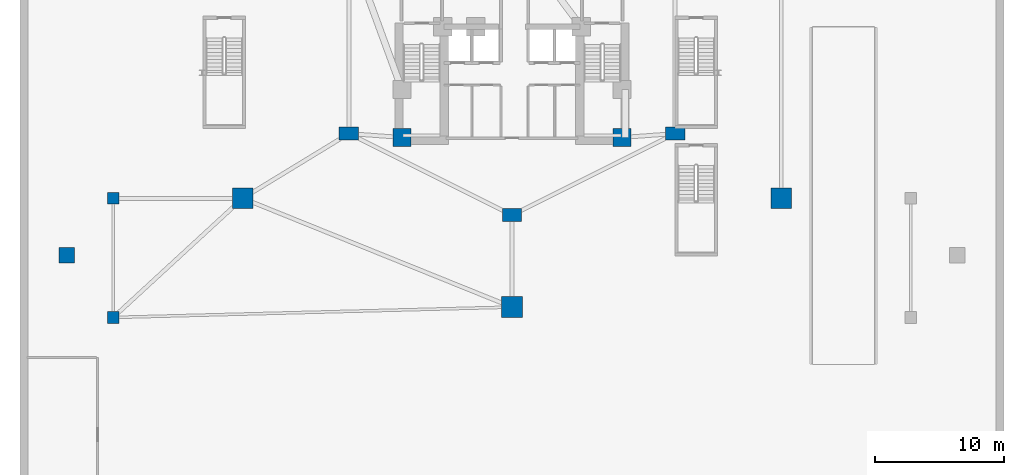
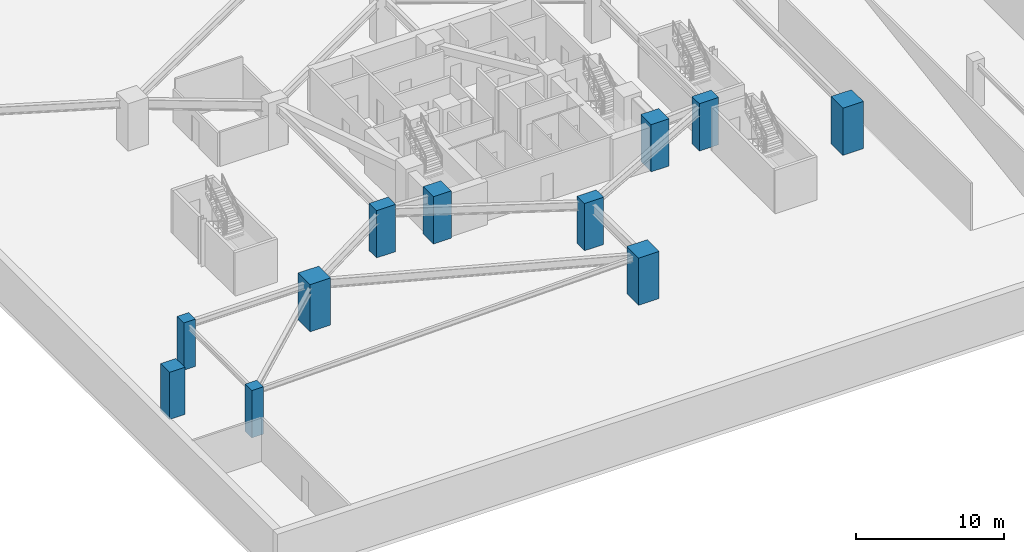
# One storey, part 1 of 12: 11 columns.
"""IFC4 building model written with IfcOpenShell, lengths in metres."""

from ifc_helpers import new_model, si_unit, direction, frame, origin, origin_2d, place, context, subcontext, project, spatial, rectangle, extrude, material, material_profile, profile_set, type_object, element, save


model = new_model("IFC4")

# Units and contexts
model_context = context("Model", 3, precision=1e-05, world=origin(), true_north=direction((0.0, 1.0)))
body_context = subcontext(model_context, "Body", "Model", "MODEL_VIEW")
ifc_project = project(units=[si_unit("LENGTHUNIT", "METRE"), si_unit("AREAUNIT", "SQUARE_METRE"), si_unit("VOLUMEUNIT", "CUBIC_METRE"), si_unit("PLANEANGLEUNIT", "RADIAN"), si_unit("MASSUNIT", "GRAM", prefix="KILO")], contexts=[model_context])

# Site, building, storey
site_placement = place(None, origin())
site = spatial("IfcSite", under=ifc_project, at=site_placement, CompositionType="ELEMENT")
building_placement = place(site_placement, origin())
building = spatial("IfcBuilding", under=site, at=building_placement, Name="Miruveldt Soraemaru", CompositionType="ELEMENT")
storey_placement = place(building_placement, frame((0.0, 0.0, -7.800048828125)))
storey = spatial("IfcBuildingStorey", under=building, at=storey_placement, Name="B2", CompositionType="ELEMENT", Elevation=-7.800048828125)

# Columns
ifc_material_1 = material(Name="Concrete C70/85 (70 MPa)", Category="concrete")
ifc_material_profile_1 = material_profile(ifc_material_1, rectangle(XDim=1.199951171875, YDim=1.199951171875, at=origin_2d()), Name="Concrete C70/85 (70 MPa)", Category="concrete")
ifc_profile_set_1 = profile_set([ifc_material_profile_1], Name="Concrete C70/85 (70 MPa)")
column_type_1 = type_object("IfcColumnType", Name="COL-CORE-1200", PredefinedType="COLUMN", material=ifc_profile_set_1)
column_placement = place(storey_placement, frame((9.60009765625, 26.39990234375, 0.0), z_axis=(0.0, 0.0, 1.0), x_axis=(1.0, 0.0, 0.0)))
element("IfcColumn", 1, at=column_placement, inside=storey, type_object=column_type_1, Name="B2 Structural Column BC1", PredefinedType="COLUMN", context=body_context, shape_type="SweptSolid", body=[
    extrude(rectangle(XDim=1.199951171875, YDim=1.199951171875, at=origin_2d()), origin(), (0.0, 0.0, 1.0), 3.900146484375),
])
ifc_material_2 = material(Name="Concrete C50/60 (50 MPa)", Category="concrete")
ifc_material_profile_2 = material_profile(ifc_material_2, rectangle(XDim=0.89990234375, YDim=0.89990234375, at=origin_2d()), Name="Concrete C50/60 (50 MPa)", Category="concrete")
ifc_profile_set_2 = profile_set([ifc_material_profile_2], Name="Concrete C50/60 (50 MPa)")
column_type_2 = type_object("IfcColumnType", Name="COL-CORE-900", PredefinedType="COLUMN", material=ifc_profile_set_2)
for number, where, z_axis, x_axis, name in (
    (2, (13.199951171875, 21.60009765625, 0.0), (0.0, 0.0, 1.0), (1.0, 0.0, 0.0), "B2 Structural Column PF01"),
    (3, (13.199951171875, 30.800048828125, 0.0), (0.0, 0.0, 1.0), (1.0, 0.0, 0.0), "B2 Structural Column PF02"),
):
    element("IfcColumn", number, at=place(storey_placement, frame(where, z_axis=z_axis, x_axis=x_axis)), inside=storey, type_object=column_type_2, Name=name, PredefinedType="COLUMN", context=body_context, shape_type="SweptSolid", body=[
        extrude(rectangle(XDim=0.89990234375, YDim=0.89990234375, at=origin_2d()), origin(), (0.0, 0.0, 1.0), 3.900146484375),
    ])
ifc_material_3 = material(Name="Concrete C80/95 (80 MPa)", Category="concrete")
ifc_material_profile_3 = material_profile(ifc_material_3, rectangle(XDim=1.39990234375, YDim=1.39990234375, at=origin_2d()), Name="Concrete C80/95 (80 MPa)", Category="concrete")
ifc_profile_set_3 = profile_set([ifc_material_profile_3], Name="Concrete C80/95 (80 MPa)")
column_type_3 = type_object("IfcColumnType", Name="COL-MEGA-1400", PredefinedType="COLUMN", material=ifc_profile_set_3)
for number, where, z_axis, x_axis, name in (
    (4, (35.5, 35.5, 0.0), (0.0, 0.0, 1.0), (1.0, 0.0, 0.0), "B2 Structural Column CC1"),
    (5, (52.5, 35.5, 0.0), (0.0, 0.0, 1.0), (1.0, 0.0, 0.0), "B2 Structural Column CC3"),
):
    element("IfcColumn", number, at=place(storey_placement, frame(where, z_axis=z_axis, x_axis=x_axis)), inside=storey, type_object=column_type_3, Name=name, PredefinedType="COLUMN", context=body_context, shape_type="SweptSolid", body=[
        extrude(rectangle(XDim=1.39990234375, YDim=1.39990234375, at=origin_2d()), origin(), (0.0, 0.0, 1.0), 3.900146484375),
    ])
ifc_material_profile_4 = material_profile(ifc_material_3, rectangle(XDim=1.60009765625, YDim=1.60009765625, at=origin_2d()), Name="Concrete C80/95 (80 MPa)", Category="concrete")
ifc_profile_set_4 = profile_set([ifc_material_profile_4], Name="Concrete C80/95 (80 MPa)")
column_type_4 = type_object("IfcColumnType", Name="COL-MEGA-1600", PredefinedType="COLUMN", material=ifc_profile_set_4)
for number, where, z_axis, x_axis, name in (
    (6, (64.800048828125, 30.800048828125, 0.0), (0.0, 0.0, 1.0), (1.0, 0.0, 0.0), "B2 Structural Column PM03"),
    (7, (44.0, 22.39990234375, 0.0), (0.0, 0.0, 1.0), (1.0, 0.0, 0.0), "B2 Structural Column PM04"),
    (8, (23.199951171875, 30.800048828125, 0.0), (0.0, 0.0, 1.0), (1.0, 0.0, 0.0), "B2 Structural Column PM05"),
):
    element("IfcColumn", number, at=place(storey_placement, frame(where, z_axis=z_axis, x_axis=x_axis)), inside=storey, type_object=column_type_4, Name=name, PredefinedType="COLUMN", context=body_context, shape_type="SweptSolid", body=[
        extrude(rectangle(XDim=1.60009765625, YDim=1.60009765625, at=origin_2d()), origin(), (0.0, 0.0, 1.0), 3.900146484375),
    ])
ifc_material_profile_5 = material_profile(ifc_material_3, rectangle(XDim=1.5, YDim=1.0, at=origin_2d()), Name="Concrete C80/95 (80 MPa)", Category="concrete")
ifc_profile_set_5 = profile_set([ifc_material_profile_5], Name="Concrete C80/95 (80 MPa)")
column_type_5 = type_object("IfcColumnType", Name="COL-TW-Z1A", PredefinedType="COLUMN", material=ifc_profile_set_5)
for number, where, z_axis, x_axis, name in (
    (9, (56.60009765625, 35.800048828125, 0.0), (0.0, 0.0, 1.0), (1.0, 0.0, 0.0), "B2 Structural Column IR03"),
    (10, (44.0, 29.5, 0.0), (0.0, 0.0, 1.0), (1.0, 0.0, 0.0), "B2 Structural Column IR04"),
    (11, (31.39990234375, 35.800048828125, 0.0), (0.0, 0.0, 1.0), (1.0, 0.0, 0.0), "B2 Structural Column IR05"),
):
    element("IfcColumn", number, at=place(storey_placement, frame(where, z_axis=z_axis, x_axis=x_axis)), inside=storey, type_object=column_type_5, Name=name, PredefinedType="COLUMN", context=body_context, shape_type="SweptSolid", body=[
        extrude(rectangle(XDim=1.5, YDim=1.0, at=origin_2d()), origin(), (0.0, 0.0, 1.0), 3.900146484375),
    ])

save(model, "model.ifc")
